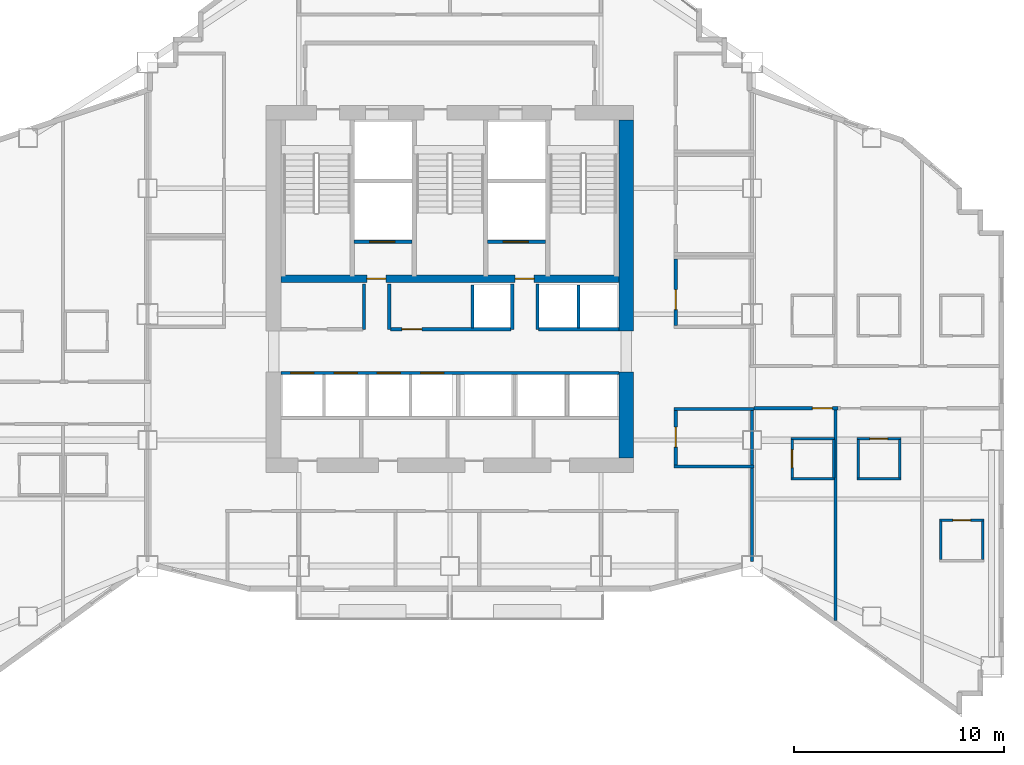
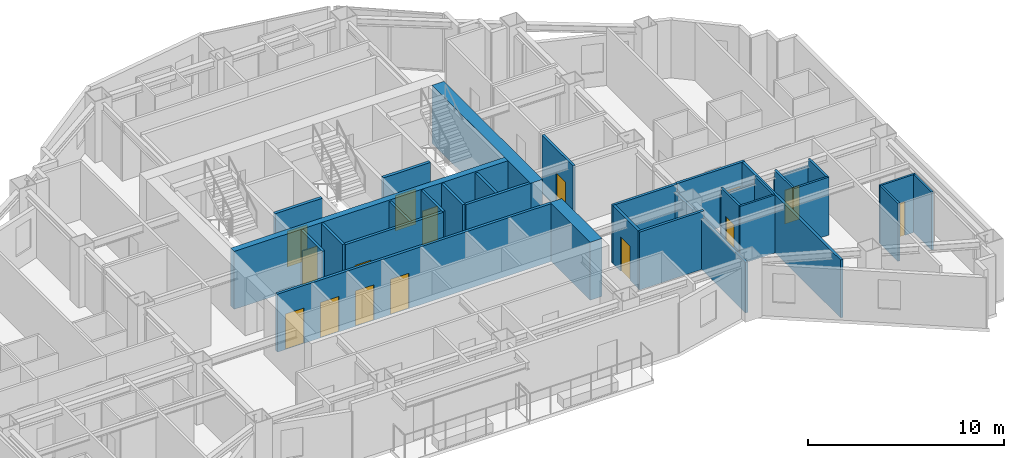
# One storey, part 9 of 14: 33 walls, 15 doors, 15 openings.
"""IFC4 building model written with IfcOpenShell, lengths in metres."""

from ifc_helpers import new_model, si_unit, direction, frame, frame_2d, origin, place, context, subcontext, project, spatial, rectangle, extrude, material, layer, layer_set, type_object, element, fill, save


model = new_model("IFC4")

# Units and contexts
model_context = context("Model", 3, precision=1e-05, world=origin(), true_north=direction((0.0, 1.0)))
body_context = subcontext(model_context, "Body", "Model", "MODEL_VIEW")
ifc_project = project(units=[si_unit("LENGTHUNIT", "METRE"), si_unit("AREAUNIT", "SQUARE_METRE"), si_unit("VOLUMEUNIT", "CUBIC_METRE"), si_unit("PLANEANGLEUNIT", "RADIAN"), si_unit("MASSUNIT", "GRAM", prefix="KILO")], contexts=[model_context])

# Site, building, storey
site_placement = place(None, origin())
site = spatial("IfcSite", under=ifc_project, at=site_placement, CompositionType="ELEMENT")
building_placement = place(site_placement, origin())
building = spatial("IfcBuilding", under=site, at=building_placement, Name="Haolan Belvedere Tower", CompositionType="ELEMENT")
storey_placement = place(building_placement, frame((0.0, 0.0, 121.199951171875)))
storey = spatial("IfcBuildingStorey", under=building, at=storey_placement, Name="L30", CompositionType="ELEMENT", Elevation=121.199951171875)

# Walls
ifc_material_1 = material(Name="Concrete C60/75", Category="concrete")
ifc_layer_1 = layer(ifc_material_1, 0.699951171875, Name="Concrete C60/75")
ifc_layer_set_1 = layer_set([ifc_layer_1], Name="Concrete C60/75")
wall_type_1 = type_object("IfcWallType", Name="WL-CORE-700", PredefinedType="SHEAR", material=ifc_layer_set_1)
wall_1_placement = place(storey_placement, frame((46.800048828125, 26.75, 0.0), z_axis=(0.0, 0.0, 1.0), x_axis=(0.0, 1.0, 0.0)))
element("IfcWall", 1, at=wall_1_placement, inside=storey, type_object=wall_type_1, Name="L30 central core shear wall ES", PredefinedType="SHEAR", context=body_context, shape_type="SweptSolid", body=[
    extrude(rectangle(XDim=4.10009765625, YDim=0.699951171875, at=frame_2d((2.050048828125, 0.0))), origin(), (0.0, 0.0, 1.0), 3.60009765625),
])
wall_2_placement = place(storey_placement, frame((46.800048828125, 32.800048828125, 0.0), z_axis=(0.0, 0.0, 1.0), x_axis=(0.0, 1.0, 0.0)))
element("IfcWall", 2, at=wall_2_placement, inside=storey, type_object=wall_type_1, Name="L30 central core shear wall EN", PredefinedType="SHEAR", context=body_context, shape_type="SweptSolid", body=[
    extrude(rectangle(XDim=10.050048828125, YDim=0.699951171875, at=frame_2d((5.02490234375, 0.0))), origin(), (0.0, 0.0, 1.0), 3.60009765625),
])

# Wall, opening, door
ifc_material_2 = material(Name="Double gypsum acoustic stud partition", Category="masonry")
ifc_layer_2 = layer(ifc_material_2, 0.14990234375, Name="Double gypsum acoustic stud partition")
ifc_layer_set_2 = layer_set([ifc_layer_2], Name="Double gypsum acoustic stud partition")
wall_type_2 = type_object("IfcWallType", Name="WL-PART-150", PredefinedType="PARTITIONING", material=ifc_layer_set_2)
wall_3_placement = place(storey_placement, frame((49.159912109375, 33.06005859375, 0.0), z_axis=(0.0, 0.0, 1.0), x_axis=(0.0, 1.0, 0.0)))
wall_3 = element("IfcWall", 3, at=wall_3_placement, inside=storey, type_object=wall_type_2, Name="L30 interior partition IW-L30-AWC-W", PredefinedType="PARTITIONING", context=body_context, shape_type="SweptSolid", body=[
    extrude(rectangle(XDim=3.179931640625, YDim=0.14990234375, at=frame_2d((1.58984375, 0.0))), origin(), (0.0, 0.0, 1.0), 3.60009765625),
])
opening_1_placement = place(wall_3_placement, frame((0.760009765625, 0.0, 0.0)))
opening_1 = element("IfcOpeningElement", 4, at=opening_1_placement, cuts=wall_3, Name="Opening ID-03", PredefinedType="OPENING", context=body_context, shape_type="SweptSolid", body=[
    extrude(rectangle(XDim=0.949951171875, YDim=2.1201171875, at=frame_2d((0.47509765625, 1.06005859375))), frame((0.0, 0.0849609375, 0.0), z_axis=(0.0, -1.0, 0.0), x_axis=(1.0, 0.0, 0.0)), (0.0, 0.0, 1.0), 0.169921875),
])
ifc_material_3 = material(Name="Painted solid-core timber", Category="wood")
door_type_1 = type_object("IfcDoorType", Name="DR-INT-950", OperationType="NOTDEFINED", PredefinedType="DOOR", material=ifc_material_3)
door_1_placement = place(opening_1_placement, origin())
door_1 = element("IfcDoor", 5, at=door_1_placement, inside=storey, type_object=door_type_1, Name="L30 door ID-L30-AWC", OperationType="SINGLE_SWING_LEFT", OverallHeight=2.1201171875, OverallWidth=0.949951171875, PredefinedType="DOOR", context=body_context, shape_type="SweptSolid", body=[
    extrude(rectangle(XDim=0.949951171875, YDim=2.1201171875, at=frame_2d((0.47509765625, 1.06005859375))), frame((0.0, 0.02490234375, 0.0), z_axis=(0.0, -1.0, 0.0), x_axis=(1.0, 0.0, 0.0)), (0.0, 0.0, 1.0), 0.050048828125),
])
fill(opening_1, door_1)

# Walls
for number, where, z_axis, x_axis, name in (
    (6, (49.080078125, 29.080078125, 0.0), (0.0, 0.0, 1.0), (1.0, 0.0, 0.0), "L30 interior partition IW-L30-PKTE-N"),
    (7, (49.080078125, 26.35009765625, 0.0), (0.0, 0.0, 1.0), (1.0, 0.0, 0.0), "L30 interior partition IW-L30-PKTE-S"),
):
    element("IfcWall", number, at=place(storey_placement, frame(where, z_axis=z_axis, x_axis=x_axis)), inside=storey, type_object=wall_type_2, Name=name, PredefinedType="PARTITIONING", context=body_context, shape_type="SweptSolid", body=[
        extrude(rectangle(XDim=3.7998046875, YDim=0.14990234375, at=frame_2d((1.89990234375, 0.0))), origin(), (0.0, 0.0, 1.0), 3.60009765625),
    ])

# Wall, opening, door
wall_4_placement = place(storey_placement, frame((49.159912109375, 26.409912109375, 0.0), z_axis=(0.0, 0.0, 1.0), x_axis=(0.0, 1.0, 0.0)))
wall_4 = element("IfcWall", 8, at=wall_4_placement, inside=storey, type_object=wall_type_2, Name="L30 interior partition IW-L30-PKTE-W", PredefinedType="PARTITIONING", context=body_context, shape_type="SweptSolid", body=[
    extrude(rectangle(XDim=2.610107421875, YDim=0.14990234375, at=frame_2d((1.30517578125, 0.0))), origin(), (0.0, 0.0, 1.0), 3.60009765625),
])
opening_2_placement = place(wall_4_placement, frame((0.860107421875, 0.0, 0.0)))
opening_2 = element("IfcOpeningElement", 9, at=opening_2_placement, cuts=wall_4, Name="Opening ID-03", PredefinedType="OPENING", context=body_context, shape_type="SweptSolid", body=[
    extrude(rectangle(XDim=0.949951171875, YDim=2.1201171875, at=frame_2d((0.47509765625, 1.06005859375))), frame((0.0, 0.0849609375, 0.0), z_axis=(0.0, -1.0, 0.0), x_axis=(1.0, 0.0, 0.0)), (0.0, 0.0, 1.0), 0.169921875),
])
door_2_placement = place(opening_2_placement, origin())
door_2 = element("IfcDoor", 10, at=door_2_placement, inside=storey, type_object=door_type_1, Name="L30 door ID-L30-PKTE", OperationType="SINGLE_SWING_RIGHT", OverallHeight=2.1201171875, OverallWidth=0.949951171875, PredefinedType="DOOR", context=body_context, shape_type="SweptSolid", body=[
    extrude(rectangle(XDim=0.949951171875, YDim=2.1201171875, at=frame_2d((0.47509765625, 1.06005859375))), frame((0.0, 0.02490234375, 0.0), z_axis=(0.0, -1.0, 0.0), x_axis=(1.0, 0.0, 0.0)), (0.0, 0.0, 1.0), 0.050048828125),
])
fill(opening_2, door_2)

# Wall
wall_5_placement = place(storey_placement, frame((52.800048828125, 26.409912109375, 0.0), z_axis=(0.0, 0.0, 1.0), x_axis=(0.0, 1.0, 0.0)))
element("IfcWall", 11, at=wall_5_placement, inside=storey, type_object=wall_type_2, Name="L30 interior partition IW-L30-PKTE-E", PredefinedType="PARTITIONING", context=body_context, shape_type="SweptSolid", body=[
    extrude(rectangle(XDim=2.610107421875, YDim=0.14990234375, at=frame_2d((1.30517578125, 0.0))), origin(), (0.0, 0.0, 1.0), 3.14501953125),
])

# Wall, opening, door
wall_6_placement = place(storey_placement, frame((52.882080078125, 29.1201171875, 0.0), z_axis=(0.0, 0.0, 1.0), x_axis=(1.0, 0.0, 0.0)))
wall_6 = element("IfcWall", 12, at=wall_6_placement, inside=storey, type_object=wall_type_2, Name="L30 interior partition IW-L30-T4S1-N", PredefinedType="PARTITIONING", context=body_context, shape_type="SweptSolid", body=[
    extrude(rectangle(XDim=3.997802734375, YDim=0.14990234375, at=frame_2d((1.9990234375, 0.0))), origin(), (0.0, 0.0, 1.0), 3.60009765625),
])
opening_3_placement = place(wall_6_placement, frame((3.740478515625, 0.0, 0.0), z_axis=(0.0, 0.0, 1.0), x_axis=(-1.0, 0.0, 0.0)))
opening_3 = element("IfcOpeningElement", 13, at=opening_3_placement, cuts=wall_6, Name="Opening ID-02", PredefinedType="OPENING", context=body_context, shape_type="SweptSolid", body=[
    extrude(rectangle(XDim=0.949951171875, YDim=2.14990234375, at=frame_2d((0.47509765625, 1.074951171875))), frame((0.0, 0.0849609375, 0.0), z_axis=(0.0, -1.0, 0.0), x_axis=(1.0, 0.0, 0.0)), (0.0, 0.0, 1.0), 0.169921875),
])
ifc_material_4 = material(Name="Acoustic oak veneer fire-rated timber", Category="wood")
door_type_2 = type_object("IfcDoorType", Name="DR-GUEST-950", OperationType="NOTDEFINED", PredefinedType="DOOR", material=ifc_material_4)
door_3_placement = place(opening_3_placement, origin())
door_3 = element("IfcDoor", 14, at=door_3_placement, inside=storey, type_object=door_type_2, Name="L30 door ID-L30-T4S1-ENT", OperationType="SINGLE_SWING_RIGHT", OverallHeight=2.14990234375, OverallWidth=0.949951171875, PredefinedType="DOOR", context=body_context, shape_type="SweptSolid", body=[
    extrude(rectangle(XDim=0.949951171875, YDim=2.14990234375, at=frame_2d((0.47509765625, 1.074951171875))), frame((0.0, 0.02490234375, 0.0), z_axis=(0.0, -1.0, 0.0), x_axis=(1.0, 0.0, 0.0)), (0.0, 0.0, 1.0), 0.050048828125),
])
fill(opening_3, door_3)

# Walls
wall_7_placement = place(storey_placement, frame((52.800048828125, 21.818603515625, 0.0), z_axis=(0.0, 0.0, 1.0), x_axis=(0.0, 1.0, 0.0)))
element("IfcWall", 15, at=wall_7_placement, inside=storey, type_object=wall_type_2, Name="L30 interior partition IW-L30-T4S1-W", PredefinedType="PARTITIONING", context=body_context, shape_type="SweptSolid", body=[
    extrude(rectangle(XDim=4.471435546875, YDim=0.14990234375, at=frame_2d((2.23583984375, 0.0))), origin(), (0.0, 0.0, 1.0), 3.14501953125),
])
wall_8_placement = place(storey_placement, frame((56.780029296875, 19.01171875, 0.0), z_axis=(0.0, 0.0, 1.0), x_axis=(0.0, 1.0, 0.0)))
element("IfcWall", 16, at=wall_8_placement, inside=storey, type_object=wall_type_2, Name="L30 interior partition IW-L30-T4S1-E", PredefinedType="PARTITIONING", context=body_context, shape_type="SweptSolid", body=[
    extrude(rectangle(XDim=10.04833984375, YDim=0.14990234375, at=frame_2d((5.024169921875, 0.0))), origin(), (0.0, 0.0, 1.0), 3.60009765625),
])
ifc_material_5 = material(Name="Gypsum fire shaftwall assembly", Category="masonry")
ifc_layer_3 = layer(ifc_material_5, 0.1650390625, Name="Gypsum fire shaftwall assembly")
ifc_layer_set_3 = layer_set([ifc_layer_3], Name="Gypsum fire shaftwall assembly")
wall_type_3 = type_object("IfcWallType", Name="WL-SHAFT-160", PredefinedType="SOLIDWALL", material=ifc_layer_set_3)
for number, where, z_axis, x_axis, name in (
    (17, (34.31005859375, 32.8798828125, 0.0), (0.0, 0.0, 1.0), (0.0, 1.0, 0.0), "L30 interior partition IW-L30-SVP-W-SV1"),
    (18, (35.510009765625, 32.8798828125, 0.0), (0.0, 0.0, 1.0), (0.0, 1.0, 0.0), "L30 interior partition IW-L30-SVP-E-SV1"),
    (19, (41.3701171875, 32.8798828125, 0.0), (0.0, 0.0, 1.0), (0.0, 1.0, 0.0), "L30 interior partition IW-L30-SVP-W-SV2"),
    (20, (42.570068359375, 32.8798828125, 0.0), (0.0, 0.0, 1.0), (0.0, 1.0, 0.0), "L30 interior partition IW-L30-SVP-E-SV2"),
):
    element("IfcWall", number, at=place(storey_placement, frame(where, z_axis=z_axis, x_axis=x_axis)), inside=storey, type_object=wall_type_3, Name=name, PredefinedType="SOLIDWALL", context=body_context, shape_type="SweptSolid", body=[
        extrude(rectangle(XDim=2.170166015625, YDim=0.14990234375, at=frame_2d((1.0849609375, 0.0))), origin(), (0.0, 0.0, 1.0), 3.60009765625),
    ])

# Wall, opening, door
wall_9_placement = place(storey_placement, frame((35.570068359375, 32.8798828125, 0.0), z_axis=(0.0, 0.0, 1.0), x_axis=(1.0, 0.0, 0.0)))
wall_9 = element("IfcWall", 21, at=wall_9_placement, inside=storey, type_object=wall_type_3, Name="L30 interior partition IW-L30-ROW-PN2", PredefinedType="SOLIDWALL", context=body_context, shape_type="SweptSolid", body=[
    extrude(rectangle(XDim=5.739990234375, YDim=0.159912109375, at=frame_2d((2.8701171875, 0.0))), origin(), (0.0, 0.0, 1.0), 3.60009765625),
])
opening_4_placement = place(wall_9_placement, frame((1.489990234375, 0.0, 0.0), z_axis=(0.0, 0.0, 1.0), x_axis=(-1.0, 0.0, 0.0)))
opening_4 = element("IfcOpeningElement", 22, at=opening_4_placement, cuts=wall_9, Name="Opening ID-03", PredefinedType="OPENING", context=body_context, shape_type="SweptSolid", body=[
    extrude(rectangle(XDim=0.949951171875, YDim=2.1201171875, at=frame_2d((0.47509765625, 1.06005859375))), frame((0.0, 0.08984375, 0.0), z_axis=(0.0, -1.0, 0.0), x_axis=(1.0, 0.0, 0.0)), (0.0, 0.0, 1.0), 0.179931640625),
])
door_4_placement = place(opening_4_placement, origin())
door_4 = element("IfcDoor", 23, at=door_4_placement, inside=storey, type_object=door_type_1, Name="L30 door ID-L30-CD-RPLE", OperationType="SINGLE_SWING_RIGHT", OverallHeight=2.1201171875, OverallWidth=0.949951171875, PredefinedType="DOOR", context=body_context, shape_type="SweptSolid", body=[
    extrude(rectangle(XDim=0.949951171875, YDim=2.1201171875, at=frame_2d((0.47509765625, 1.06005859375))), frame((0.0, 0.02490234375, 0.0), z_axis=(0.0, -1.0, 0.0), x_axis=(1.0, 0.0, 0.0)), (0.0, 0.0, 1.0), 0.050048828125),
])
fill(opening_4, door_4)

# Walls
wall_10_placement = place(storey_placement, frame((42.6298828125, 32.8798828125, 0.0), z_axis=(0.0, 0.0, 1.0), x_axis=(1.0, 0.0, 0.0)))
element("IfcWall", 24, at=wall_10_placement, inside=storey, type_object=wall_type_3, Name="L30 interior partition IW-L30-ROW-PN3", PredefinedType="SOLIDWALL", context=body_context, shape_type="SweptSolid", body=[
    extrude(rectangle(XDim=3.820068359375, YDim=0.159912109375, at=frame_2d((1.91015625, 0.0))), origin(), (0.0, 0.0, 1.0), 3.60009765625),
])
for number, where, z_axis, x_axis, name in (
    (25, (39.469970703125, 32.949951171875, 0.0), (0.0, 0.0, 1.0), (0.0, 1.0, 0.0), "L30 interior partition IW-L30-DIV-PL4R"),
    (26, (44.530029296875, 32.949951171875, 0.0), (0.0, 0.0, 1.0), (0.0, 1.0, 0.0), "L30 interior partition IW-L30-DIV-PH2"),
):
    element("IfcWall", number, at=place(storey_placement, frame(where, z_axis=z_axis, x_axis=x_axis)), inside=storey, type_object=wall_type_3, Name=name, PredefinedType="SOLIDWALL", context=body_context, shape_type="SweptSolid", body=[
        extrude(rectangle(XDim=2.050048828125, YDim=0.14990234375, at=frame_2d((1.02490234375, 0.0))), origin(), (0.0, 0.0, 1.0), 3.60009765625),
    ])

# Wall, openings, doors
wall_11_placement = place(storey_placement, frame((30.35009765625, 30.800048828125, 0.0), z_axis=(0.0, 0.0, 1.0), x_axis=(1.0, 0.0, 0.0)))
wall_11 = element("IfcWall", 27, at=wall_11_placement, inside=storey, type_object=wall_type_3, Name="L30 interior partition IW-L30-ROW-PS", PredefinedType="SOLIDWALL", context=body_context, shape_type="SweptSolid", body=[
    extrude(rectangle(XDim=16.099853515625, YDim=0.159912109375, at=frame_2d((8.0498046875, 0.0))), origin(), (0.0, 0.0, 1.0), 3.60009765625),
])
opening_5_placement = place(wall_11_placement, frame((0.469970703125, 0.0, 0.0)))
opening_5 = element("IfcOpeningElement", 28, at=opening_5_placement, cuts=wall_11, Name="Opening LD-01", PredefinedType="OPENING", context=body_context, shape_type="SweptSolid", body=[
    extrude(rectangle(XDim=1.10009765625, YDim=2.199951171875, at=frame_2d((0.550048828125, 1.10009765625))), frame((0.0, 0.08984375, 0.0), z_axis=(0.0, -1.0, 0.0), x_axis=(1.0, 0.0, 0.0)), (0.0, 0.0, 1.0), 0.179931640625),
])
opening_6_placement = place(wall_11_placement, frame((2.530029296875, 0.0, 0.0)))
opening_6 = element("IfcOpeningElement", 29, at=opening_6_placement, cuts=wall_11, Name="Opening LD-01", PredefinedType="OPENING", context=body_context, shape_type="SweptSolid", body=[
    extrude(rectangle(XDim=1.10009765625, YDim=2.199951171875, at=frame_2d((0.550048828125, 1.10009765625))), frame((0.0, 0.08984375, 0.0), z_axis=(0.0, -1.0, 0.0), x_axis=(1.0, 0.0, 0.0)), (0.0, 0.0, 1.0), 0.179931640625),
])
opening_7_placement = place(wall_11_placement, frame((4.590087890625, 0.0, 0.0)))
opening_7 = element("IfcOpeningElement", 30, at=opening_7_placement, cuts=wall_11, Name="Opening LD-01", PredefinedType="OPENING", context=body_context, shape_type="SweptSolid", body=[
    extrude(rectangle(XDim=1.10009765625, YDim=2.199951171875, at=frame_2d((0.550048828125, 1.10009765625))), frame((0.0, 0.08984375, 0.0), z_axis=(0.0, -1.0, 0.0), x_axis=(1.0, 0.0, 0.0)), (0.0, 0.0, 1.0), 0.179931640625),
])
opening_8_placement = place(wall_11_placement, frame((6.64990234375, 0.0, 0.0)))
opening_8 = element("IfcOpeningElement", 31, at=opening_8_placement, cuts=wall_11, Name="Opening LD-01", PredefinedType="OPENING", context=body_context, shape_type="SweptSolid", body=[
    extrude(rectangle(XDim=1.10009765625, YDim=2.199951171875, at=frame_2d((0.550048828125, 1.10009765625))), frame((0.0, 0.08984375, 0.0), z_axis=(0.0, -1.0, 0.0), x_axis=(1.0, 0.0, 0.0)), (0.0, 0.0, 1.0), 0.179931640625),
])
ifc_material_6 = material(Name="Brushed champagne stainless steel 316L", Category="steel")
door_type_3 = type_object("IfcDoorType", Name="DR-LIFT-1100", OperationType="SLIDING_TO_LEFT", PredefinedType="DOOR", material=ifc_material_6)
door_5_placement = place(opening_5_placement, origin())
door_5 = element("IfcDoor", 32, at=door_5_placement, inside=storey, type_object=door_type_3, Name="L30 door ID-L30-LD-PM1", OperationType="SLIDING_TO_LEFT", OverallHeight=2.199951171875, OverallWidth=1.10009765625, PredefinedType="DOOR", context=body_context, shape_type="SweptSolid", body=[
    extrude(rectangle(XDim=1.10009765625, YDim=2.199951171875, at=frame_2d((0.550048828125, 1.10009765625))), frame((0.0, 0.02490234375, 0.0), z_axis=(0.0, -1.0, 0.0), x_axis=(1.0, 0.0, 0.0)), (0.0, 0.0, 1.0), 0.050048828125),
])
fill(opening_5, door_5)
door_6_placement = place(opening_6_placement, origin())
door_6 = element("IfcDoor", 33, at=door_6_placement, inside=storey, type_object=door_type_3, Name="L30 door ID-L30-LD-PM2", OperationType="SLIDING_TO_LEFT", OverallHeight=2.199951171875, OverallWidth=1.10009765625, PredefinedType="DOOR", context=body_context, shape_type="SweptSolid", body=[
    extrude(rectangle(XDim=1.10009765625, YDim=2.199951171875, at=frame_2d((0.550048828125, 1.10009765625))), frame((0.0, 0.02490234375, 0.0), z_axis=(0.0, -1.0, 0.0), x_axis=(1.0, 0.0, 0.0)), (0.0, 0.0, 1.0), 0.050048828125),
])
fill(opening_6, door_6)
door_7_placement = place(opening_7_placement, origin())
door_7 = element("IfcDoor", 34, at=door_7_placement, inside=storey, type_object=door_type_3, Name="L30 door ID-L30-LD-PM3", OperationType="SLIDING_TO_LEFT", OverallHeight=2.199951171875, OverallWidth=1.10009765625, PredefinedType="DOOR", context=body_context, shape_type="SweptSolid", body=[
    extrude(rectangle(XDim=1.10009765625, YDim=2.199951171875, at=frame_2d((0.550048828125, 1.10009765625))), frame((0.0, 0.02490234375, 0.0), z_axis=(0.0, -1.0, 0.0), x_axis=(1.0, 0.0, 0.0)), (0.0, 0.0, 1.0), 0.050048828125),
])
fill(opening_7, door_7)
door_8_placement = place(opening_8_placement, origin())
door_8 = element("IfcDoor", 35, at=door_8_placement, inside=storey, type_object=door_type_3, Name="L30 door ID-L30-LD-PM4", OperationType="SLIDING_TO_LEFT", OverallHeight=2.199951171875, OverallWidth=1.10009765625, PredefinedType="DOOR", context=body_context, shape_type="SweptSolid", body=[
    extrude(rectangle(XDim=1.10009765625, YDim=2.199951171875, at=frame_2d((0.550048828125, 1.10009765625))), frame((0.0, 0.02490234375, 0.0), z_axis=(0.0, -1.0, 0.0), x_axis=(1.0, 0.0, 0.0)), (0.0, 0.0, 1.0), 0.050048828125),
])
fill(opening_8, door_8)

# Wall, opening, door
ifc_material_7 = material(Name="Precast concrete C40/50", Category="concrete")
ifc_layer_4 = layer(ifc_material_7, 0.179931640625, Name="Precast concrete C40/50")
ifc_layer_set_4 = layer_set([ifc_layer_4], Name="Precast concrete C40/50")
wall_type_4 = type_object("IfcWallType", Name="WL-SHAFT-180", PredefinedType="SOLIDWALL", material=ifc_layer_set_4)
wall_12_placement = place(storey_placement, frame((33.8349609375, 37.050048828125, 0.0), z_axis=(0.0, 0.0, 1.0), x_axis=(1.0, 0.0, 0.0)))
wall_12 = element("IfcWall", 36, at=wall_12_placement, inside=storey, type_object=wall_type_4, Name="L30 interior partition IW-L30-SV1-S", PredefinedType="SOLIDWALL", context=body_context, shape_type="SweptSolid", body=[
    extrude(rectangle(XDim=2.77001953125, YDim=0.179931640625, at=frame_2d((1.385009765625, 0.0))), origin(), (0.0, 0.0, 1.0), 3.60009765625),
])
opening_9_placement = place(wall_12_placement, frame((1.945068359375, 0.0, 0.0), z_axis=(0.0, 0.0, 1.0), x_axis=(-1.0, 0.0, 0.0)))
opening_9 = element("IfcOpeningElement", 37, at=opening_9_placement, cuts=wall_12, Name="Opening LD-02", PredefinedType="OPENING", context=body_context, shape_type="SweptSolid", body=[
    extrude(rectangle(XDim=1.199951171875, YDim=2.199951171875, at=frame_2d((0.60009765625, 1.10009765625))), frame((0.0, 0.099853515625, 0.0), z_axis=(0.0, -1.0, 0.0), x_axis=(1.0, 0.0, 0.0)), (0.0, 0.0, 1.0), 0.199951171875),
])
door_type_4 = type_object("IfcDoorType", Name="DR-LIFT-1200", OperationType="SLIDING_TO_RIGHT", PredefinedType="DOOR", material=ifc_material_6)
door_9_placement = place(opening_9_placement, origin())
door_9 = element("IfcDoor", 38, at=door_9_placement, inside=storey, type_object=door_type_4, Name="L30 door ID-L30-LD-SV1", OperationType="SLIDING_TO_RIGHT", OverallHeight=2.199951171875, OverallWidth=1.199951171875, PredefinedType="DOOR", context=body_context, shape_type="SweptSolid", body=[
    extrude(rectangle(XDim=1.199951171875, YDim=2.199951171875, at=frame_2d((0.60009765625, 1.10009765625))), frame((0.0, 0.02490234375, 0.0), z_axis=(0.0, -1.0, 0.0), x_axis=(1.0, 0.0, 0.0)), (0.0, 0.0, 1.0), 0.050048828125),
])
fill(opening_9, door_9)

wall_13_placement = place(storey_placement, frame((40.195068359375, 37.050048828125, 0.0), z_axis=(0.0, 0.0, 1.0), x_axis=(1.0, 0.0, 0.0)))
wall_13 = element("IfcWall", 39, at=wall_13_placement, inside=storey, type_object=wall_type_4, Name="L30 interior partition IW-L30-SV2-S", PredefinedType="SOLIDWALL", context=body_context, shape_type="SweptSolid", body=[
    extrude(rectangle(XDim=2.77001953125, YDim=0.179931640625, at=frame_2d((1.385009765625, 0.0))), origin(), (0.0, 0.0, 1.0), 3.60009765625),
])
opening_10_placement = place(wall_13_placement, frame((1.945068359375, 0.0, 0.0), z_axis=(0.0, 0.0, 1.0), x_axis=(-1.0, 0.0, 0.0)))
opening_10 = element("IfcOpeningElement", 40, at=opening_10_placement, cuts=wall_13, Name="Opening LD-02", PredefinedType="OPENING", context=body_context, shape_type="SweptSolid", body=[
    extrude(rectangle(XDim=1.199951171875, YDim=2.199951171875, at=frame_2d((0.60009765625, 1.10009765625))), frame((0.0, 0.099853515625, 0.0), z_axis=(0.0, -1.0, 0.0), x_axis=(1.0, 0.0, 0.0)), (0.0, 0.0, 1.0), 0.199951171875),
])
door_10_placement = place(opening_10_placement, origin())
door_10 = element("IfcDoor", 41, at=door_10_placement, inside=storey, type_object=door_type_4, Name="L30 door ID-L30-LD-SV2", OperationType="SLIDING_TO_RIGHT", OverallHeight=2.199951171875, OverallWidth=1.199951171875, PredefinedType="DOOR", context=body_context, shape_type="SweptSolid", body=[
    extrude(rectangle(XDim=1.199951171875, YDim=2.199951171875, at=frame_2d((0.60009765625, 1.10009765625))), frame((0.0, 0.02490234375, 0.0), z_axis=(0.0, -1.0, 0.0), x_axis=(1.0, 0.0, 0.0)), (0.0, 0.0, 1.0), 0.050048828125),
])
fill(opening_10, door_10)

# Wall, openings, doors
ifc_layer_5 = layer(ifc_material_1, 0.360107421875, Name="Concrete C60/75")
ifc_layer_set_5 = layer_set([ifc_layer_5], Name="Concrete C60/75")
wall_type_5 = type_object("IfcWallType", Name="WL-WEB-350", PredefinedType="SHEAR", material=ifc_layer_set_5)
wall_14_placement = place(storey_placement, frame((30.35009765625, 35.2900390625, 0.0), z_axis=(0.0, 0.0, 1.0), x_axis=(1.0, 0.0, 0.0)))
wall_14 = element("IfcWall", 42, at=wall_14_placement, inside=storey, type_object=wall_type_5, Name="L30 central core internal shear web", PredefinedType="SHEAR", context=body_context, shape_type="SweptSolid", body=[
    extrude(rectangle(XDim=16.099853515625, YDim=0.360107421875, at=frame_2d((8.0498046875, 0.0))), origin(), (0.0, 0.0, 1.0), 3.60009765625),
])
opening_11_placement = place(wall_14_placement, frame((5.0, 0.0, 0.0), z_axis=(0.0, 0.0, 1.0), x_axis=(-1.0, 0.0, 0.0)))
opening_11 = element("IfcOpeningElement", 43, at=opening_11_placement, cuts=wall_14, Name="Opening FD-05", PredefinedType="OPENING", context=body_context, shape_type="SweptSolid", body=[
    extrude(rectangle(XDim=0.89990234375, YDim=2.10009765625, at=frame_2d((0.449951171875, 1.050048828125))), frame((0.0, 0.18994140625, 0.0), z_axis=(0.0, -1.0, 0.0), x_axis=(1.0, 0.0, 0.0)), (0.0, 0.0, 1.0), 0.380126953125),
])
opening_12_placement = place(wall_14_placement, frame((12.059814453125, 0.0, 0.0), z_axis=(0.0, 0.0, 1.0), x_axis=(-1.0, 0.0, 0.0)))
opening_12 = element("IfcOpeningElement", 44, at=opening_12_placement, cuts=wall_14, Name="Opening FD-05", PredefinedType="OPENING", context=body_context, shape_type="SweptSolid", body=[
    extrude(rectangle(XDim=0.89990234375, YDim=2.10009765625, at=frame_2d((0.449951171875, 1.050048828125))), frame((0.0, 0.18994140625, 0.0), z_axis=(0.0, -1.0, 0.0), x_axis=(1.0, 0.0, 0.0)), (0.0, 0.0, 1.0), 0.380126953125),
])
ifc_material_8 = material(Name="Galvanised fire-rated steel", Category="steel")
door_type_5 = type_object("IfcDoorType", Name="DR-FD60-900", OperationType="NOTDEFINED", PredefinedType="DOOR", material=ifc_material_8)
door_11_placement = place(opening_11_placement, origin())
door_11 = element("IfcDoor", 45, at=door_11_placement, inside=storey, type_object=door_type_5, Name="L30 door CD-L30-SVL-SV1", OperationType="SINGLE_SWING_RIGHT", OverallHeight=2.10009765625, OverallWidth=0.89990234375, PredefinedType="DOOR", context=body_context, shape_type="SweptSolid", body=[
    extrude(rectangle(XDim=0.89990234375, YDim=2.10009765625, at=frame_2d((0.449951171875, 1.050048828125))), frame((0.0, 0.02490234375, 0.0), z_axis=(0.0, -1.0, 0.0), x_axis=(1.0, 0.0, 0.0)), (0.0, 0.0, 1.0), 0.050048828125),
])
fill(opening_11, door_11)
door_12_placement = place(opening_12_placement, origin())
door_12 = element("IfcDoor", 46, at=door_12_placement, inside=storey, type_object=door_type_5, Name="L30 door CD-L30-SVL-SV2", OperationType="SINGLE_SWING_RIGHT", OverallHeight=2.10009765625, OverallWidth=0.89990234375, PredefinedType="DOOR", context=body_context, shape_type="SweptSolid", body=[
    extrude(rectangle(XDim=0.89990234375, YDim=2.10009765625, at=frame_2d((0.449951171875, 1.050048828125))), frame((0.0, 0.02490234375, 0.0), z_axis=(0.0, -1.0, 0.0), x_axis=(1.0, 0.0, 0.0)), (0.0, 0.0, 1.0), 0.050048828125),
])
fill(opening_12, door_12)

# Walls
ifc_material_9 = material(Name="Moisture-resistant gypsum tile partition", Category="masonry")
ifc_layer_6 = layer(ifc_material_9, 0.1201171875, Name="Moisture-resistant gypsum tile partition")
ifc_layer_set_6 = layer_set([ifc_layer_6], Name="Moisture-resistant gypsum tile partition")
wall_type_6 = type_object("IfcWallType", Name="WL-WET-120", PredefinedType="PARTITIONING", material=ifc_layer_set_6)
wall_15_placement = place(storey_placement, frame((54.639892578125, 27.669921875, 0.0), z_axis=(0.0, 0.0, 1.0), x_axis=(1.0, 0.0, 0.0)))
element("IfcWall", 47, at=wall_15_placement, inside=storey, type_object=wall_type_6, Name="L30 interior partition IW-L30-T4S1-BN", PredefinedType="PARTITIONING", context=body_context, shape_type="SweptSolid", body=[
    extrude(rectangle(XDim=2.080078125, YDim=0.1201171875, at=frame_2d((1.0400390625, 0.0))), origin(), (0.0, 0.0, 1.0), 3.14501953125),
])
wall_16_placement = place(storey_placement, frame((54.639892578125, 25.75, 0.0), z_axis=(0.0, 0.0, 1.0), x_axis=(1.0, 0.0, 0.0)))
element("IfcWall", 48, at=wall_16_placement, inside=storey, type_object=wall_type_6, Name="L30 interior partition IW-L30-T4S1-BS", PredefinedType="PARTITIONING", context=body_context, shape_type="SweptSolid", body=[
    extrude(rectangle(XDim=2.080078125, YDim=0.1201171875, at=frame_2d((1.0400390625, 0.0))), origin(), (0.0, 0.0, 1.0), 3.60009765625),
])

# Wall, opening, door
wall_17_placement = place(storey_placement, frame((54.699951171875, 25.794921875, 0.0), z_axis=(0.0, 0.0, 1.0), x_axis=(0.0, 1.0, 0.0)))
wall_17 = element("IfcWall", 49, at=wall_17_placement, inside=storey, type_object=wall_type_6, Name="L30 interior partition IW-L30-T4S1-BW", PredefinedType="PARTITIONING", context=body_context, shape_type="SweptSolid", body=[
    extrude(rectangle(XDim=1.830078125, YDim=0.1201171875, at=frame_2d((0.9150390625, 0.0))), origin(), (0.0, 0.0, 1.0), 3.60009765625),
])
opening_13_placement = place(wall_17_placement, frame((1.340087890625, 0.0, 0.0), z_axis=(0.0, 0.0, 1.0), x_axis=(-1.0, 0.0, 0.0)))
opening_13 = element("IfcOpeningElement", 50, at=opening_13_placement, cuts=wall_17, Name="Opening ID-05", PredefinedType="OPENING", context=body_context, shape_type="SweptSolid", body=[
    extrude(rectangle(XDim=0.85009765625, YDim=2.10009765625, at=frame_2d((0.425048828125, 1.050048828125))), frame((0.0, 0.070068359375, 0.0), z_axis=(0.0, -1.0, 0.0), x_axis=(1.0, 0.0, 0.0)), (0.0, 0.0, 1.0), 0.14013671875),
])
ifc_material_10 = material(Name="Moisture-resistant lacquered timber", Category="wood")
door_type_6 = type_object("IfcDoorType", Name="DR-BATH-850", OperationType="NOTDEFINED", PredefinedType="DOOR", material=ifc_material_10)
door_13_placement = place(opening_13_placement, origin())
door_13 = element("IfcDoor", 51, at=door_13_placement, inside=storey, type_object=door_type_6, Name="L30 door ID-L30-T4S1-BATH", OperationType="SINGLE_SWING_LEFT", OverallHeight=2.10009765625, OverallWidth=0.85009765625, PredefinedType="DOOR", context=body_context, shape_type="SweptSolid", body=[
    extrude(rectangle(XDim=0.85009765625, YDim=2.10009765625, at=frame_2d((0.425048828125, 1.050048828125))), frame((0.0, 0.02490234375, 0.0), z_axis=(0.0, -1.0, 0.0), x_axis=(1.0, 0.0, 0.0)), (0.0, 0.0, 1.0), 0.050048828125),
])
fill(opening_13, door_13)

# Wall
wall_18_placement = place(storey_placement, frame((56.679931640625, 25.794921875, 0.0), z_axis=(0.0, 0.0, 1.0), x_axis=(0.0, 1.0, 0.0)))
element("IfcWall", 52, at=wall_18_placement, inside=storey, type_object=wall_type_6, Name="L30 interior partition IW-L30-T4S1-BE", PredefinedType="PARTITIONING", context=body_context, shape_type="SweptSolid", body=[
    extrude(rectangle(XDim=1.830078125, YDim=0.1201171875, at=frame_2d((0.9150390625, 0.0))), origin(), (0.0, 0.0, 1.0), 3.60009765625),
])

# Wall, opening, door
wall_19_placement = place(storey_placement, frame((57.784912109375, 27.669921875, 0.0), z_axis=(0.0, 0.0, 1.0), x_axis=(1.0, 0.0, 0.0)))
wall_19 = element("IfcWall", 53, at=wall_19_placement, inside=storey, type_object=wall_type_6, Name="L30 interior partition IW-L30-T4S2-BN", PredefinedType="PARTITIONING", context=body_context, shape_type="SweptSolid", body=[
    extrude(rectangle(XDim=2.10009765625, YDim=0.1201171875, at=frame_2d((1.050048828125, 0.0))), origin(), (0.0, 0.0, 1.0), 3.14501953125),
])
opening_14_placement = place(wall_19_placement, frame((1.47509765625, 0.0, 0.0), z_axis=(0.0, 0.0, 1.0), x_axis=(-1.0, 0.0, 0.0)))
opening_14 = element("IfcOpeningElement", 54, at=opening_14_placement, cuts=wall_19, Name="Opening ID-05", PredefinedType="OPENING", context=body_context, shape_type="SweptSolid", body=[
    extrude(rectangle(XDim=0.85009765625, YDim=2.10009765625, at=frame_2d((0.425048828125, 1.050048828125))), frame((0.0, 0.070068359375, 0.0), z_axis=(0.0, -1.0, 0.0), x_axis=(1.0, 0.0, 0.0)), (0.0, 0.0, 1.0), 0.14013671875),
])
door_14_placement = place(opening_14_placement, origin())
door_14 = element("IfcDoor", 55, at=door_14_placement, inside=storey, type_object=door_type_6, Name="L30 door ID-L30-T4S2-BATH", OperationType="SINGLE_SWING_RIGHT", OverallHeight=2.10009765625, OverallWidth=0.85009765625, PredefinedType="DOOR", context=body_context, shape_type="SweptSolid", body=[
    extrude(rectangle(XDim=0.85009765625, YDim=2.10009765625, at=frame_2d((0.425048828125, 1.050048828125))), frame((0.0, 0.02490234375, 0.0), z_axis=(0.0, -1.0, 0.0), x_axis=(1.0, 0.0, 0.0)), (0.0, 0.0, 1.0), 0.050048828125),
])
fill(opening_14, door_14)

# Walls
wall_20_placement = place(storey_placement, frame((57.784912109375, 25.75, 0.0), z_axis=(0.0, 0.0, 1.0), x_axis=(1.0, 0.0, 0.0)))
element("IfcWall", 56, at=wall_20_placement, inside=storey, type_object=wall_type_6, Name="L30 interior partition IW-L30-T4S2-BS", PredefinedType="PARTITIONING", context=body_context, shape_type="SweptSolid", body=[
    extrude(rectangle(XDim=2.10009765625, YDim=0.1201171875, at=frame_2d((1.050048828125, 0.0))), origin(), (0.0, 0.0, 1.0), 3.60009765625),
])
for number, where, z_axis, x_axis, name in (
    (57, (57.844970703125, 25.794921875, 0.0), (0.0, 0.0, 1.0), (0.0, 1.0, 0.0), "L30 interior partition IW-L30-T4S2-BW"),
    (58, (59.824951171875, 25.794921875, 0.0), (0.0, 0.0, 1.0), (0.0, 1.0, 0.0), "L30 interior partition IW-L30-T4S2-BE"),
):
    element("IfcWall", number, at=place(storey_placement, frame(where, z_axis=z_axis, x_axis=x_axis)), inside=storey, type_object=wall_type_6, Name=name, PredefinedType="PARTITIONING", context=body_context, shape_type="SweptSolid", body=[
        extrude(rectangle(XDim=1.830078125, YDim=0.1201171875, at=frame_2d((0.9150390625, 0.0))), origin(), (0.0, 0.0, 1.0), 3.60009765625),
    ])

# Wall, opening, door
wall_21_placement = place(storey_placement, frame((61.737060546875, 23.784912109375, 0.0), z_axis=(0.0, 0.0, 1.0), x_axis=(1.0, 0.0, 0.0)))
wall_21 = element("IfcWall", 59, at=wall_21_placement, inside=storey, type_object=wall_type_6, Name="L30 interior partition IW-L30-T4S3-BN", PredefinedType="PARTITIONING", context=body_context, shape_type="SweptSolid", body=[
    extrude(rectangle(XDim=2.099853515625, YDim=0.1201171875, at=frame_2d((1.0498046875, 0.0))), origin(), (0.0, 0.0, 1.0), 3.60009765625),
])
opening_15_placement = place(wall_21_placement, frame((1.47509765625, 0.0, 0.0), z_axis=(0.0, 0.0, 1.0), x_axis=(-1.0, 0.0, 0.0)))
opening_15 = element("IfcOpeningElement", 60, at=opening_15_placement, cuts=wall_21, Name="Opening ID-05", PredefinedType="OPENING", context=body_context, shape_type="SweptSolid", body=[
    extrude(rectangle(XDim=0.85009765625, YDim=2.10009765625, at=frame_2d((0.425048828125, 1.050048828125))), frame((0.0, 0.070068359375, 0.0), z_axis=(0.0, -1.0, 0.0), x_axis=(1.0, 0.0, 0.0)), (0.0, 0.0, 1.0), 0.14013671875),
])
door_15_placement = place(opening_15_placement, origin())
door_15 = element("IfcDoor", 61, at=door_15_placement, inside=storey, type_object=door_type_6, Name="L30 door ID-L30-T4S3-BATH", OperationType="SINGLE_SWING_LEFT", OverallHeight=2.10009765625, OverallWidth=0.85009765625, PredefinedType="DOOR", context=body_context, shape_type="SweptSolid", body=[
    extrude(rectangle(XDim=0.85009765625, YDim=2.10009765625, at=frame_2d((0.425048828125, 1.050048828125))), frame((0.0, 0.02490234375, 0.0), z_axis=(0.0, -1.0, 0.0), x_axis=(1.0, 0.0, 0.0)), (0.0, 0.0, 1.0), 0.050048828125),
])
fill(opening_15, door_15)

# Walls
for number, where, z_axis, x_axis, name in (
    (62, (61.797119140625, 21.909912109375, 0.0), (0.0, 0.0, 1.0), (0.0, 1.0, 0.0), "L30 interior partition IW-L30-T4S3-BW"),
    (63, (63.777099609375, 21.909912109375, 0.0), (0.0, 0.0, 1.0), (0.0, 1.0, 0.0), "L30 interior partition IW-L30-T4S3-BE"),
):
    element("IfcWall", number, at=place(storey_placement, frame(where, z_axis=z_axis, x_axis=x_axis)), inside=storey, type_object=wall_type_6, Name=name, PredefinedType="PARTITIONING", context=body_context, shape_type="SweptSolid", body=[
        extrude(rectangle(XDim=1.830078125, YDim=0.1201171875, at=frame_2d((0.9150390625, 0.0))), origin(), (0.0, 0.0, 1.0), 3.60009765625),
    ])

save(model, "model.ifc")
